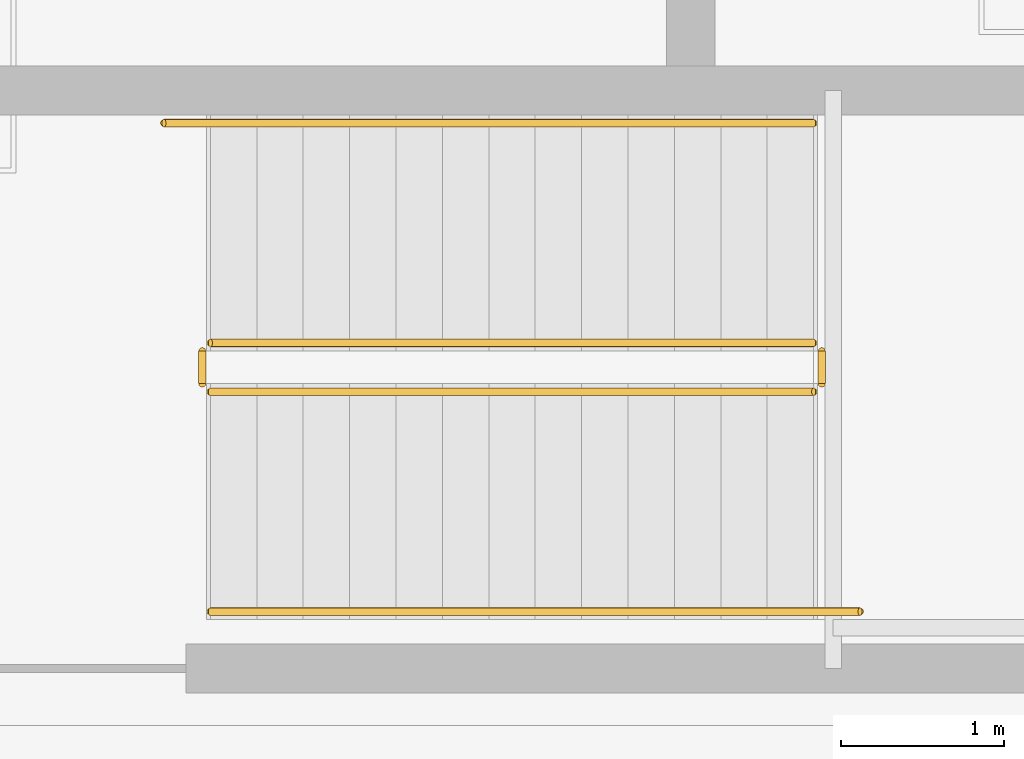
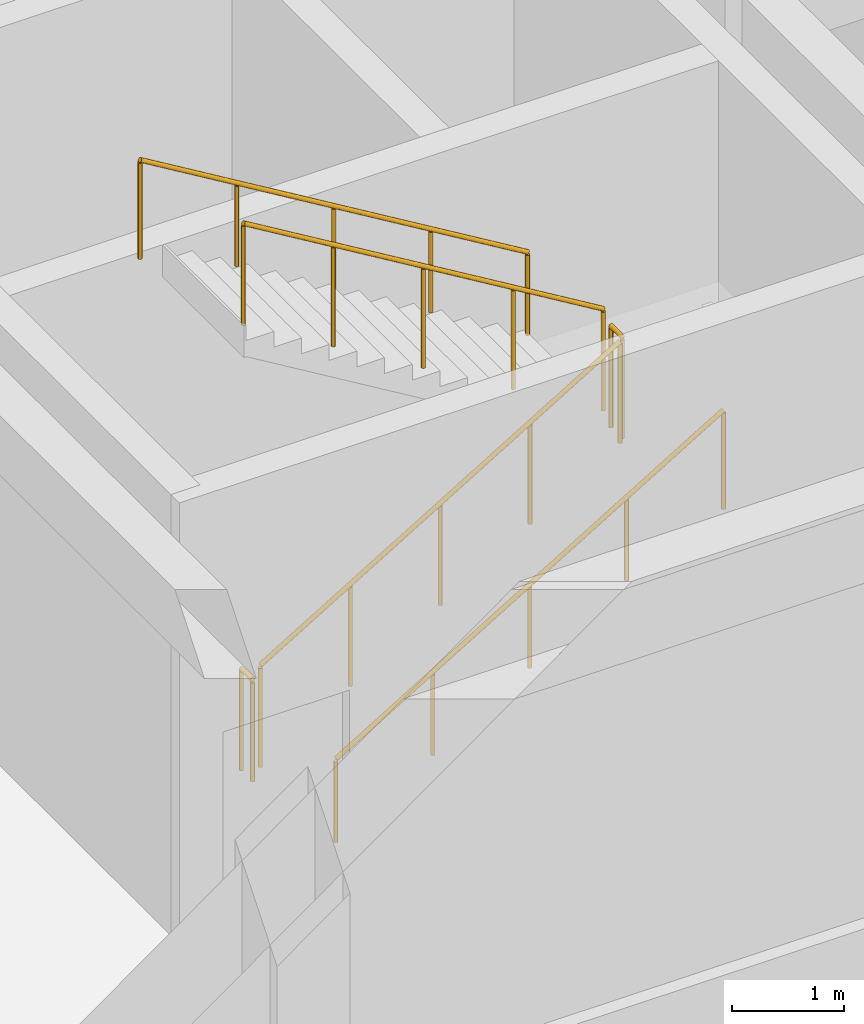
# One storey, part 55 of 59: 6 railings.
"""IFC4 building model written with IfcOpenShell, lengths in metres."""

from ifc_helpers import new_model, si_unit, direction, frame, origin, origin_2d, place, context, subcontext, project, spatial, circle, extrude, material, layer, layer_set, type_object, element, save


model = new_model("IFC4")

# Units and contexts
model_context = context("Model", 3, precision=1e-05, world=origin(), true_north=direction((0.0, 1.0)))
body_context = subcontext(model_context, "Body", "Model", "MODEL_VIEW")
ifc_project = project(units=[si_unit("LENGTHUNIT", "METRE"), si_unit("AREAUNIT", "SQUARE_METRE"), si_unit("VOLUMEUNIT", "CUBIC_METRE"), si_unit("PLANEANGLEUNIT", "RADIAN"), si_unit("MASSUNIT", "GRAM", prefix="KILO")], contexts=[model_context])

# Site, building, storey
site_placement = place(None, origin())
site = spatial("IfcSite", under=ifc_project, at=site_placement, CompositionType="ELEMENT")
building_placement = place(site_placement, origin())
building = spatial("IfcBuilding", under=site, at=building_placement, Name="Montealbar Specialist Clinic", CompositionType="ELEMENT")
storey_placement = place(building_placement, frame((0.0, 0.0, -4.800048828125)))
storey = spatial("IfcBuildingStorey", under=building, at=storey_placement, Name="B01", CompositionType="ELEMENT", Elevation=-4.800048828125)

# Railings
ifc_material = material(Name="Steel S355", Category="steel")
ifc_layer_1 = layer(ifc_material, 0.050048828125, Name="Steel S355", Category="steel")
ifc_layer_set_1 = layer_set([ifc_layer_1], Name="Steel S355")
railing_type_1 = type_object("IfcRailingType", Name="RAIL-STAIR-BAL-1100", PredefinedType="BALUSTRADE", material=ifc_layer_set_1)
railing_1_placement = place(storey_placement, frame((29.14990234375, 100.10009765625, 0.17138671875)))
element("IfcRailing", 1, at=railing_1_placement, inside=storey, type_object=railing_type_1, Name="B01 ST-02 stair guard 1", PredefinedType="BALUSTRADE", context=body_context, shape_type="SweptSolid", body=[
    extrude(circle(Radius=0.02392578125, at=origin_2d()), frame((0.0, 0.0, 1.076171875), z_axis=(0.856909459561, 0.0, 0.515466951525), x_axis=(0.0, 1.0, 0.0)), (0.0, 0.0, 1.0), 4.32373046875),
    extrude(circle(Radius=0.02099609375, at=origin_2d()), frame((0.0, 0.0, -0.02490234375)), (0.0, 0.0, 1.0), 1.076904296875),
    extrude(circle(Radius=0.02099609375, at=origin_2d()), frame((0.92626953125, 0.0, 0.5322265625)), (0.0, 0.0, 1.0), 1.076904296875),
    extrude(circle(Radius=0.02099609375, at=origin_2d()), frame((1.8525390625, 0.0, 1.08935546875)), (0.0, 0.0, 1.0), 1.076904296875),
    extrude(circle(Radius=0.02099609375, at=origin_2d()), frame((2.77880859375, 0.0, 1.646484375)), (0.0, 0.0, 1.0), 1.076904296875),
    extrude(circle(Radius=0.02099609375, at=origin_2d()), frame((3.705078125, 0.0, 2.203857421875)), (0.0, 0.0, 1.0), 1.076904296875),
])
railing_2_placement = place(storey_placement, frame((32.905029296875, 100.14990234375, 2.400146484375)))
element("IfcRailing", 2, at=railing_2_placement, inside=storey, type_object=railing_type_1, Name="B01 ST-02 stair guard 2", PredefinedType="BALUSTRADE", context=body_context, shape_type="SweptSolid", body=[
    extrude(circle(Radius=0.02392578125, at=origin_2d()), frame((0.0, 0.0, 1.076171875), z_axis=(0.0, 1.0, 0.0), x_axis=(-1.0, 0.0, 0.0)), (0.0, 0.0, 1.0), 0.2001953125),
    extrude(circle(Radius=0.02099609375, at=origin_2d()), frame((0.0, 0.0, -0.02490234375)), (0.0, 0.0, 1.0), 1.076904296875),
    extrude(circle(Radius=0.02099609375, at=origin_2d()), frame((0.0, 0.2001953125, -0.02490234375)), (0.0, 0.0, 1.0), 1.076904296875),
])
railing_3_placement = place(storey_placement, frame((32.85498046875, 100.39990234375, 2.571533203125)))
element("IfcRailing", 3, at=railing_3_placement, inside=storey, type_object=railing_type_1, Name="B01 ST-02 stair guard 3", PredefinedType="BALUSTRADE", context=body_context, shape_type="SweptSolid", body=[
    extrude(circle(Radius=0.02392578125, at=origin_2d()), frame((0.0, 0.0, 1.076171875), z_axis=(-0.856934400257, 0.0, 0.515425487977), x_axis=(0.0, -1.0, 0.0)), (0.0, 0.0, 1.0), 4.32373046875),
    extrude(circle(Radius=0.02099609375, at=origin_2d()), frame((0.0, 0.0, -0.02490234375)), (0.0, 0.0, 1.0), 1.076904296875),
    extrude(circle(Radius=0.02099609375, at=origin_2d()), frame((-0.92626953125, 0.0, 0.5322265625)), (0.0, 0.0, 1.0), 1.076904296875),
    extrude(circle(Radius=0.02099609375, at=origin_2d()), frame((-1.8525390625, 0.0, 1.08935546875)), (0.0, 0.0, 1.0), 1.076904296875),
    extrude(circle(Radius=0.02099609375, at=origin_2d()), frame((-2.77880859375, 0.0, 1.646484375)), (0.0, 0.0, 1.0), 1.076904296875),
    extrude(circle(Radius=0.02099609375, at=origin_2d()), frame((-3.705078125, 0.0, 2.20361328125)), (0.0, 0.0, 1.0), 1.076904296875),
])
railing_4_placement = place(storey_placement, frame((29.10009765625, 100.14990234375, 0.0)))
element("IfcRailing", 4, at=railing_4_placement, inside=storey, type_object=railing_type_1, Name="B01 ST-02 stair guard 4", PredefinedType="BALUSTRADE", context=body_context, shape_type="SweptSolid", body=[
    extrude(circle(Radius=0.02392578125, at=origin_2d()), frame((0.0, 0.0, 1.076171875), z_axis=(0.0, 1.0, 0.0), x_axis=(-1.0, 0.0, 0.0)), (0.0, 0.0, 1.0), 0.2001953125),
    extrude(circle(Radius=0.02099609375, at=origin_2d()), frame((0.0, 0.0, -0.02490234375)), (0.0, 0.0, 1.0), 1.076904296875),
    extrude(circle(Radius=0.02099609375, at=origin_2d()), frame((0.0, 0.2001953125, -0.02490234375)), (0.0, 0.0, 1.0), 1.076904296875),
])
ifc_layer_2 = layer(ifc_material, 0.044921875, Name="Steel S355", Category="steel")
ifc_layer_set_2 = layer_set([ifc_layer_2], Name="Steel S355")
railing_type_2 = type_object("IfcRailingType", Name="RAIL-STAIR-HR-900", PredefinedType="HANDRAIL", material=ifc_layer_set_2)
railing_5_placement = place(storey_placement, frame((29.14990234375, 98.75, 0.17138671875)))
element("IfcRailing", 5, at=railing_5_placement, inside=storey, type_object=railing_type_2, Name="B01 ST-02 stair handrail 1", PredefinedType="HANDRAIL", context=body_context, shape_type="SweptSolid", body=[
    extrude(circle(Radius=0.02392578125, at=origin_2d()), frame((0.0, 0.0, 0.8759765625), z_axis=(0.856909445827, 0.0, 0.515466974357), x_axis=(0.0, 1.0, 0.0)), (0.0, 0.0, 1.0), 4.65625),
    extrude(circle(Radius=0.02099609375, at=origin_2d()), frame((0.0, 0.0, -0.02490234375)), (0.0, 0.0, 1.0), 0.876708984375),
    extrude(circle(Radius=0.02099609375, at=origin_2d()), frame((0.99755859375, 0.0, 0.574951171875)), (0.0, 0.0, 1.0), 0.876708984375),
    extrude(circle(Radius=0.02099609375, at=origin_2d()), frame((1.9951171875, 0.0, 1.175048828125)), (0.0, 0.0, 1.0), 0.876708984375),
    extrude(circle(Radius=0.02099609375, at=origin_2d()), frame((2.992431640625, 0.0, 1.775146484375)), (0.0, 0.0, 1.0), 0.876708984375),
    extrude(circle(Radius=0.02099609375, at=origin_2d()), frame((3.989990234375, 0.0, 2.203857421875)), (0.0, 0.0, 1.0), 1.048095703125),
])
railing_6_placement = place(storey_placement, frame((32.85498046875, 101.75, 2.571533203125)))
element("IfcRailing", 6, at=railing_6_placement, inside=storey, type_object=railing_type_2, Name="B01 ST-02 stair handrail 2", PredefinedType="HANDRAIL", context=body_context, shape_type="SweptSolid", body=[
    extrude(circle(Radius=0.02392578125, at=origin_2d()), frame((0.0, 0.0, 0.8759765625), z_axis=(-0.856932605607, 0.0, 0.515428471708), x_axis=(0.0, -1.0, 0.0)), (0.0, 0.0, 1.0), 4.65625),
    extrude(circle(Radius=0.02099609375, at=origin_2d()), frame((0.0, 0.0, -0.02490234375)), (0.0, 0.0, 1.0), 0.876708984375),
    extrude(circle(Radius=0.02099609375, at=origin_2d()), frame((-0.99755859375, 0.0, 0.574951171875)), (0.0, 0.0, 1.0), 0.876708984375),
    extrude(circle(Radius=0.02099609375, at=origin_2d()), frame((-1.9951171875, 0.0, 1.175048828125)), (0.0, 0.0, 1.0), 0.876708984375),
    extrude(circle(Radius=0.02099609375, at=origin_2d()), frame((-2.992431640625, 0.0, 1.77490234375)), (0.0, 0.0, 1.0), 0.876708984375),
    extrude(circle(Radius=0.02099609375, at=origin_2d()), frame((-3.989990234375, 0.0, 2.20361328125)), (0.0, 0.0, 1.0), 1.048095703125),
])

save(model, "model.ifc")
